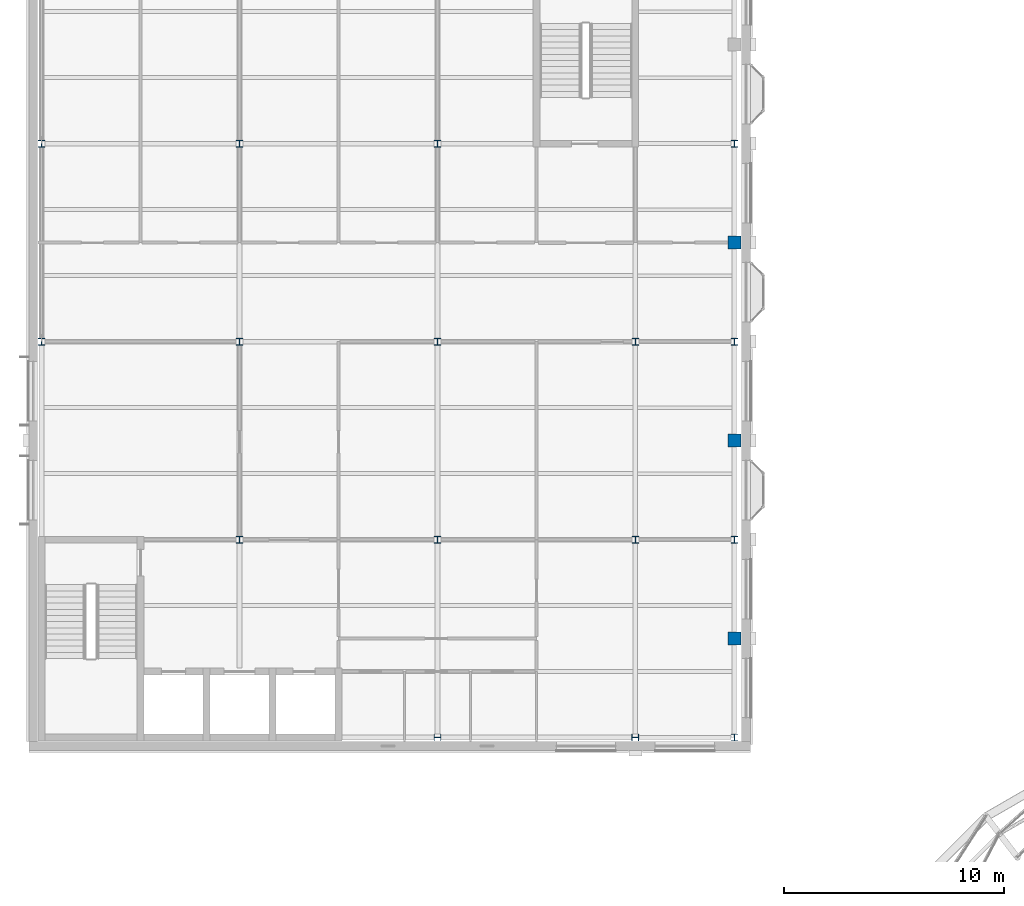
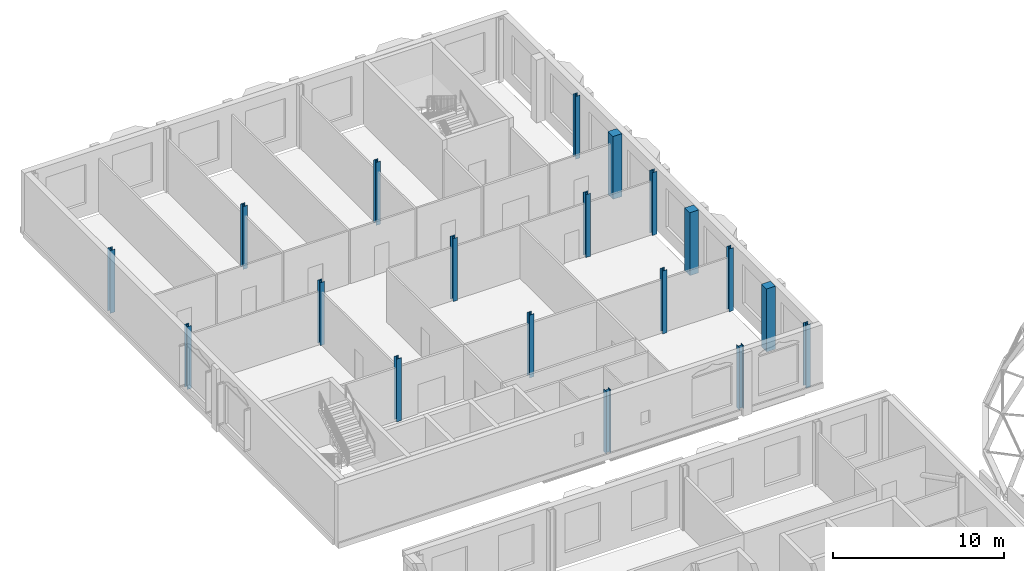
# One storey, part 2 of 59: 19 columns.
"""IFC4 building model written with IfcOpenShell, lengths in metres."""

from ifc_helpers import new_model, si_unit, direction, frame, origin, origin_2d, place, context, subcontext, project, spatial, rectangle, i_section, extrude, material, material_profile, profile_set, type_object, element, save


model = new_model("IFC4")

# Units and contexts
model_context = context("Model", 3, precision=1e-05, world=origin(), true_north=direction((0.0, 1.0)))
body_context = subcontext(model_context, "Body", "Model", "MODEL_VIEW")
ifc_project = project(units=[si_unit("LENGTHUNIT", "METRE"), si_unit("AREAUNIT", "SQUARE_METRE"), si_unit("VOLUMEUNIT", "CUBIC_METRE"), si_unit("PLANEANGLEUNIT", "RADIAN"), si_unit("MASSUNIT", "GRAM", prefix="KILO")], contexts=[model_context])

# Site, building, storey
site_placement = place(None, origin())
site = spatial("IfcSite", under=ifc_project, at=site_placement, CompositionType="ELEMENT")
building_placement = place(site_placement, origin())
building = spatial("IfcBuilding", under=site, at=building_placement, Name="Hortulan Conservatory and Botanical Research Centre", CompositionType="ELEMENT")
storey_placement = place(building_placement, frame((0.0, 0.0, 10.5)))
storey = spatial("IfcBuildingStorey", under=building, at=storey_placement, Name="L02", CompositionType="ELEMENT", Elevation=10.5)

# Columns
ifc_material_1 = material(Name="Sandstone masonry (25 MPa, AS 3700)", Category="masonry")
ifc_material_profile_1 = material_profile(ifc_material_1, rectangle(XDim=0.60009765625, YDim=0.60009765625, at=origin_2d()), Name="Square pier 600")
ifc_profile_set_1 = profile_set([ifc_material_profile_1], Name="Sandstone masonry (25 MPa, AS 3700)")
column_type_1 = type_object("IfcColumnType", Name="Sandstone Arcade Pier 600x600", PredefinedType="COLUMN", material=ifc_profile_set_1)
for number, where, z_axis, x_axis, name in (
    (1, (31.5, 40.5, 0.0), (0.0, 0.0, 1.0), (1.0, 0.0, 0.0), "Sandstone arcade pier P-31.5-40.5 L02"),
    (2, (31.5, 49.5, 0.0), (0.0, 0.0, 1.0), (1.0, 0.0, 0.0), "Sandstone arcade pier P-31.5-49.5 L02"),
    (3, (31.5, 58.5, 0.0), (0.0, 0.0, 1.0), (1.0, 0.0, 0.0), "Sandstone arcade pier P-31.5-58.5 L02"),
):
    element("IfcColumn", number, at=place(storey_placement, frame(where, z_axis=z_axis, x_axis=x_axis)), inside=storey, type_object=column_type_1, Name=name, PredefinedType="COLUMN", context=body_context, shape_type="SweptSolid", body=[
        extrude(rectangle(XDim=0.60009765625, YDim=0.60009765625, at=origin_2d()), origin(), (0.0, 0.0, 1.0), 4.5),
    ])
ifc_material_2 = material(Name="Steel Grade 300PLUS (AS/NZS 3679.1, 280 MPa minimum yield)", Category="steel")
ifc_material_profile_2 = material_profile(ifc_material_2, i_section(OverallWidth=0.306884765625, OverallDepth=0.31494140625, WebThickness=0.011962890625, FlangeThickness=0.018798828125, FilletRadius=0.0166015625, at=origin_2d()), Name="310UC118")
ifc_profile_set_2 = profile_set([ifc_material_profile_2], Name="Steel Grade 300PLUS (AS/NZS 3679.1, 280 MPa minimum yield)")
column_type_2 = type_object("IfcColumnType", Name="Visitor Centre Column 310UC118", PredefinedType="COLUMN", material=ifc_profile_set_2)
for number, where, z_axis, x_axis, name in (
    (4, (0.0, 54.0, 0.0), (0.0, 0.0, 1.0), (1.0, 0.0, 0.0), "310UC118 column"),
    (5, (0.0, 63.0, 0.0), (0.0, 0.0, 1.0), (1.0, 0.0, 0.0), "310UC118 column"),
    (6, (9.0, 45.0, 0.0), (0.0, 0.0, 1.0), (1.0, 0.0, 0.0), "310UC118 column"),
    (7, (9.0, 54.0, 0.0), (0.0, 0.0, 1.0), (1.0, 0.0, 0.0), "310UC118 column"),
    (8, (9.0, 63.0, 0.0), (0.0, 0.0, 1.0), (1.0, 0.0, 0.0), "310UC118 column"),
    (9, (18.0, 36.0, 0.0), (0.0, 0.0, 1.0), (0.0, 1.0, 0.0), "310UC118 column"),
    (10, (18.0, 45.0, 0.0), (0.0, 0.0, 1.0), (1.0, 0.0, 0.0), "310UC118 column"),
    (11, (18.0, 54.0, 0.0), (0.0, 0.0, 1.0), (1.0, 0.0, 0.0), "310UC118 column"),
    (12, (18.0, 63.0, 0.0), (0.0, 0.0, 1.0), (1.0, 0.0, 0.0), "310UC118 column"),
    (13, (27.0, 36.0, 0.0), (0.0, 0.0, 1.0), (0.0, 1.0, 0.0), "310UC118 column"),
    (14, (27.0, 45.0, 0.0), (0.0, 0.0, 1.0), (1.0, 0.0, 0.0), "310UC118 column"),
    (15, (27.0, 54.0, 0.0), (0.0, 0.0, 1.0), (1.0, 0.0, 0.0), "310UC118 column"),
    (16, (31.5, 36.0, 0.0), (0.0, 0.0, 1.0), (1.0, 0.0, 0.0), "310UC118 column"),
    (17, (31.5, 45.0, 0.0), (0.0, 0.0, 1.0), (1.0, 0.0, 0.0), "310UC118 column"),
    (18, (31.5, 54.0, 0.0), (0.0, 0.0, 1.0), (1.0, 0.0, 0.0), "310UC118 column"),
    (19, (31.5, 63.0, 0.0), (0.0, 0.0, 1.0), (1.0, 0.0, 0.0), "310UC118 column"),
):
    element("IfcColumn", number, at=place(storey_placement, frame(where, z_axis=z_axis, x_axis=x_axis)), inside=storey, type_object=column_type_2, Name=name, PredefinedType="COLUMN", context=body_context, shape_type="SweptSolid", body=[
        extrude(i_section(OverallWidth=0.306884765625, OverallDepth=0.31494140625, WebThickness=0.011962890625, FlangeThickness=0.018798828125, FilletRadius=0.0166015625, at=origin_2d()), origin(), (0.0, 0.0, 1.0), 4.5),
    ])

save(model, "model.ifc")
